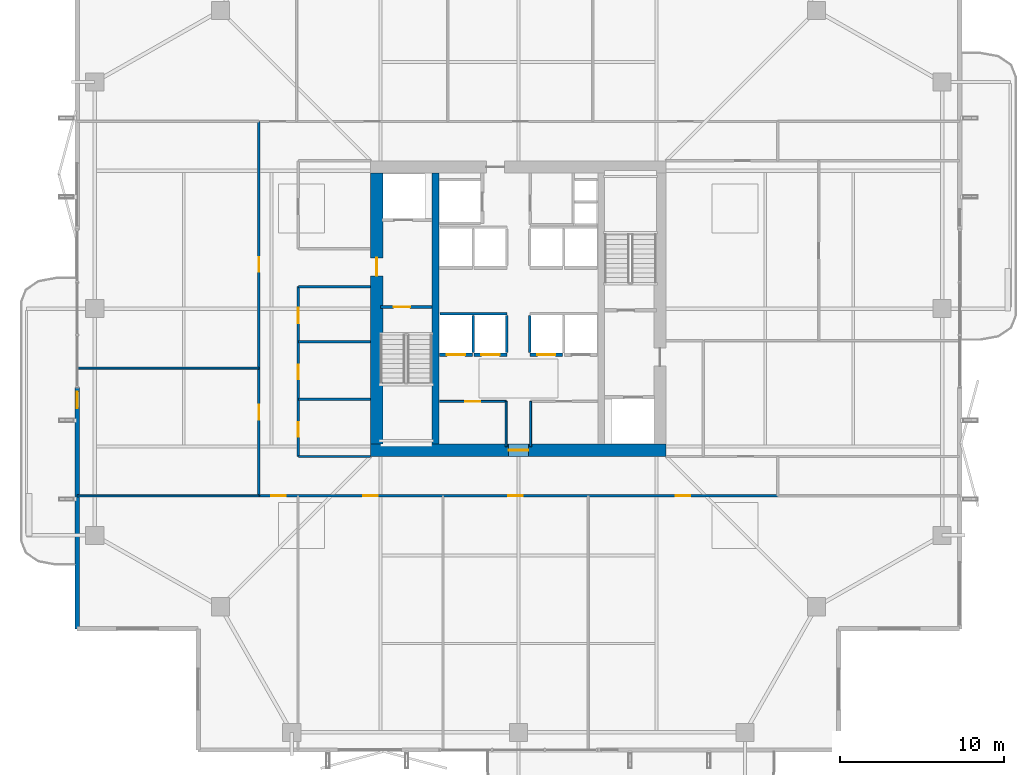
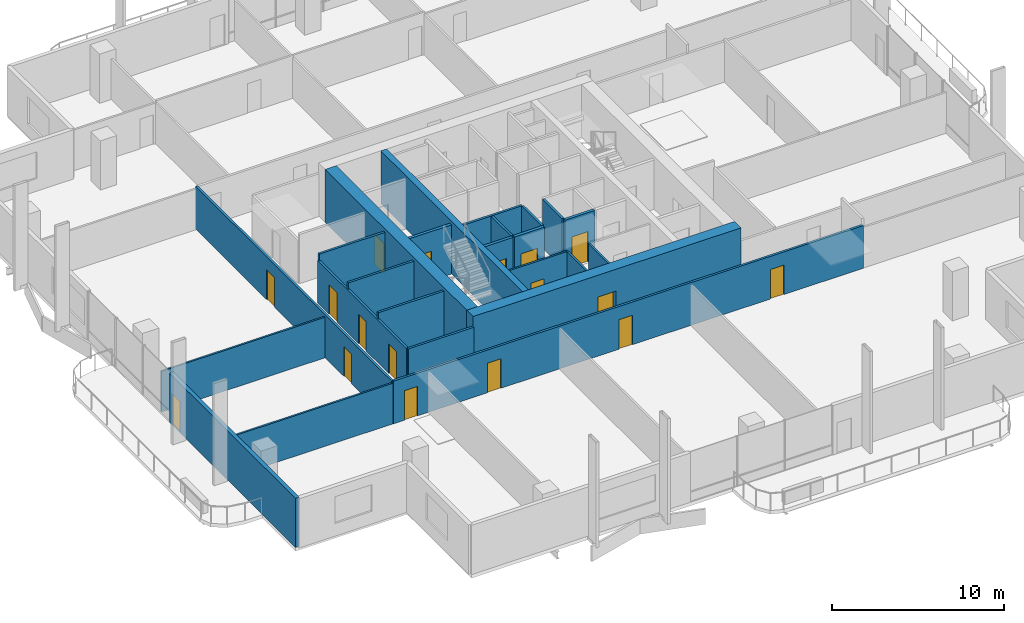
# One storey, part 17 of 24: 24 walls, 17 doors, 17 openings.
"""IFC4 building model written with IfcOpenShell, lengths in metres."""

from ifc_helpers import new_model, si_unit, direction, frame, frame_2d, origin, place, context, subcontext, project, spatial, rectangle, extrude, material, layer, layer_set, type_object, element, fill, save


model = new_model("IFC4")

# Units and contexts
model_context = context("Model", 3, precision=1e-05, world=origin(), true_north=direction((0.0, 1.0)))
body_context = subcontext(model_context, "Body", "Model", "MODEL_VIEW")
ifc_project = project(units=[si_unit("LENGTHUNIT", "METRE"), si_unit("AREAUNIT", "SQUARE_METRE"), si_unit("VOLUMEUNIT", "CUBIC_METRE"), si_unit("PLANEANGLEUNIT", "RADIAN"), si_unit("MASSUNIT", "GRAM", prefix="KILO")], contexts=[model_context])

# Site, building, storey
site_placement = place(None, origin())
site = spatial("IfcSite", under=ifc_project, at=site_placement, CompositionType="ELEMENT")
building_placement = place(site_placement, origin())
building = spatial("IfcBuilding", under=site, at=building_placement, Name="Belovzor Exchange Tower", CompositionType="ELEMENT")
storey_placement = place(building_placement, frame((0.0, 0.0, 203.699951171875)))
storey = spatial("IfcBuildingStorey", under=building, at=storey_placement, Name="L50", CompositionType="ELEMENT", Elevation=203.699951171875)

# Walls
ifc_material_1 = material(Name="Acoustic Plasterboard on Galvanised Studs", Category="gypsum")
ifc_layer_1 = layer(ifc_material_1, 0.1201171875)
ifc_layer_set_1 = layer_set([ifc_layer_1], Name="Acoustic Plasterboard on Galvanised Studs")
wall_type_1 = type_object("IfcWallType", Name="Acoustic Double-Stud Partition Wall 120", PredefinedType="PARTITIONING", material=ifc_layer_set_1)
for number, where, z_axis, x_axis, name in (
    (1, (1.929931640625, 25.181884765625, 0.0), (0.0, 0.0, 1.0), (1.0, 0.0, 0.0), "W-P120 Partition Wall W-L50-WDIV-1"),
    (2, (1.929931640625, 17.39990234375, 0.0), (0.0, 0.0, 1.0), (1.0, 0.0, 0.0), "W-P120 Partition Wall W-L50-END-SW"),
):
    element("IfcWall", number, at=place(storey_placement, frame(where, z_axis=z_axis, x_axis=x_axis)), inside=storey, type_object=wall_type_1, Name=name, PredefinedType="PARTITIONING", context=body_context, shape_type="SweptSolid", body=[
        extrude(rectangle(XDim=11.070068359375, YDim=0.1201171875, at=frame_2d((5.53515625, 0.0))), origin(), (0.0, 0.0, 1.0), 2.885009765625),
    ])

# Wall, opening, door
ifc_material_2 = material(Name="Fire-Rated Plasterboard on Galvanised Studs", Category="gypsum")
ifc_layer_2 = layer(ifc_material_2, 0.1201171875)
ifc_layer_set_2 = layer_set([ifc_layer_2], Name="Fire-Rated Plasterboard on Galvanised Studs")
wall_type_2 = type_object("IfcWallType", Name="Fire-Rated Double-Stud Partition Wall 120", PredefinedType="PARTITIONING", material=ifc_layer_set_2)
wall_1_placement = place(storey_placement, frame((24.0, 23.14990234375, 0.0), z_axis=(0.0, 0.0, 1.0), x_axis=(1.0, 0.0, 0.0)))
wall_1 = element("IfcWall", 3, at=wall_1_placement, inside=storey, type_object=wall_type_2, Name="W-P120F Partition Wall W-CRL-L50-WN", PredefinedType="PARTITIONING", context=body_context, shape_type="SweptSolid", body=[
    extrude(rectangle(XDim=4.050048828125, YDim=0.1201171875, at=frame_2d((2.02490234375, 0.0))), origin(), (0.0, 0.0, 1.0), 3.5),
])
opening_1_placement = place(wall_1_placement, frame((1.574951171875, 0.0, 0.0)))
opening_1 = element("IfcOpeningElement", 4, at=opening_1_placement, cuts=wall_1, Name="Opening D-FD60-090", PredefinedType="OPENING", context=body_context, shape_type="SweptSolid", body=[
    extrude(rectangle(XDim=0.89990234375, YDim=2.10009765625, at=frame_2d((0.449951171875, 1.050048828125))), frame((0.0, 0.070068359375, 0.0), z_axis=(0.0, -1.0, 0.0), x_axis=(1.0, 0.0, 0.0)), (0.0, 0.0, 1.0), 0.14013671875),
])
ifc_material_3 = material(Name="Acoustic Timber Fire Leaf", Category="wood")
door_type_1 = type_object("IfcDoorType", Name="Core Service & Restroom Fire Door 900x2100", OperationType="NOTDEFINED", PredefinedType="DOOR", material=ifc_material_3)
door_1_placement = place(opening_1_placement, origin())
door_1 = element("IfcDoor", 5, at=door_1_placement, inside=storey, type_object=door_type_1, Name="D-FD60-090 Core Service & Restroom Fire Door 900x2100", OperationType="SINGLE_SWING_LEFT", OverallHeight=2.10009765625, OverallWidth=0.89990234375, PredefinedType="DOOR", context=body_context, shape_type="SweptSolid", body=[
    extrude(rectangle(XDim=0.89990234375, YDim=2.10009765625, at=frame_2d((0.449951171875, 1.050048828125))), frame((0.0, 0.02490234375, 0.0), z_axis=(0.0, -1.0, 0.0), x_axis=(1.0, 0.0, 0.0)), (0.0, 0.0, 1.0), 0.050048828125),
])
fill(opening_1, door_1)

# Walls
for number, where, z_axis, x_axis, name in (
    (6, (28.050048828125, 20.39990234375, 0.0), (0.0, 0.0, 1.0), (0.0, 1.0, 0.0), "W-P120F Partition Wall W-CRL-L50-WE"),
    (7, (29.550048828125, 20.39990234375, 0.0), (0.0, 0.0, 1.0), (0.0, 1.0, 0.0), "W-P120F Partition Wall W-CRL-L50-EW"),
):
    element("IfcWall", number, at=place(storey_placement, frame(where, z_axis=z_axis, x_axis=x_axis)), inside=storey, type_object=wall_type_2, Name=name, PredefinedType="PARTITIONING", context=body_context, shape_type="SweptSolid", body=[
        extrude(rectangle(XDim=2.75, YDim=0.1201171875, at=frame_2d((1.375, 0.0))), origin(), (0.0, 0.0, 1.0), 3.5),
    ])
ifc_material_4 = material(Name="Fire-Rated Gypsum Block and Mineral Wool", Category="gypsum")
ifc_layer_3 = layer(ifc_material_4, 0.14990234375)
ifc_layer_set_3 = layer_set([ifc_layer_3], Name="Fire-Rated Gypsum Block and Mineral Wool")
wall_type_3 = type_object("IfcWallType", Name="Fire-Rated Gypsum Block Corridor Wall 150", PredefinedType="PARTITIONING", material=ifc_layer_set_3)
wall_2_placement = place(storey_placement, frame((15.39990234375, 19.800048828125, 0.0), z_axis=(0.0, 0.0, 1.0), x_axis=(1.0, 0.0, 0.0)))
element("IfcWall", 8, at=wall_2_placement, inside=storey, type_object=wall_type_3, Name="W-P150 Partition Wall W-L50-WIC-S", PredefinedType="PARTITIONING", context=body_context, shape_type="SweptSolid", body=[
    extrude(rectangle(XDim=4.400146484375, YDim=0.14990234375, at=frame_2d((2.2001953125, 0.0))), origin(), (0.0, 0.0, 1.0), 3.03515625),
])
for number, where, z_axis, x_axis, name in (
    (9, (15.39990234375, 23.27490234375, 0.0), (0.0, 0.0, 1.0), (1.0, 0.0, 0.0), "W-P150 Partition Wall W-L50-WIC-D1"),
    (10, (15.39990234375, 26.77490234375, 0.0), (0.0, 0.0, 1.0), (1.0, 0.0, 0.0), "W-P150 Partition Wall W-L50-WIC-D2"),
    (11, (15.39990234375, 30.14990234375, 0.0), (0.0, 0.0, 1.0), (1.0, 0.0, 0.0), "W-P150 Partition Wall W-L50-WIC-N"),
):
    element("IfcWall", number, at=place(storey_placement, frame(where, z_axis=z_axis, x_axis=x_axis)), inside=storey, type_object=wall_type_3, Name=name, PredefinedType="PARTITIONING", context=body_context, shape_type="SweptSolid", body=[
        extrude(rectangle(XDim=4.400146484375, YDim=0.14990234375, at=frame_2d((2.2001953125, 0.0))), origin(), (0.0, 0.0, 1.0), 3.5),
    ])

# Wall, openings, doors
wall_3_placement = place(storey_placement, frame((15.39990234375, 19.800048828125, 0.0), z_axis=(0.0, 0.0, 1.0), x_axis=(0.0, 1.0, 0.0)))
wall_3 = element("IfcWall", 12, at=wall_3_placement, inside=storey, type_object=wall_type_3, Name="W-P150 Partition Wall W-L50-WIE-S", PredefinedType="PARTITIONING", context=body_context, shape_type="SweptSolid", body=[
    extrude(rectangle(XDim=10.349853515625, YDim=0.14990234375, at=frame_2d((5.1748046875, 0.0))), origin(), (0.0, 0.0, 1.0), 3.03515625),
])
opening_2_placement = place(wall_3_placement, frame((1.199951171875, 0.0, 0.0)))
opening_2 = element("IfcOpeningElement", 13, at=opening_2_placement, cuts=wall_3, Name="Opening D-FD60-090", PredefinedType="OPENING", context=body_context, shape_type="SweptSolid", body=[
    extrude(rectangle(XDim=0.89990234375, YDim=2.10009765625, at=frame_2d((0.449951171875, 1.050048828125))), frame((0.0, 0.0849609375, 0.0), z_axis=(0.0, -1.0, 0.0), x_axis=(1.0, 0.0, 0.0)), (0.0, 0.0, 1.0), 0.169921875),
])
opening_3_placement = place(wall_3_placement, frame((4.699951171875, 0.0, 0.0)))
opening_3 = element("IfcOpeningElement", 14, at=opening_3_placement, cuts=wall_3, Name="Opening D-FD60-090", PredefinedType="OPENING", context=body_context, shape_type="SweptSolid", body=[
    extrude(rectangle(XDim=0.89990234375, YDim=2.10009765625, at=frame_2d((0.449951171875, 1.050048828125))), frame((0.0, 0.0849609375, 0.0), z_axis=(0.0, -1.0, 0.0), x_axis=(1.0, 0.0, 0.0)), (0.0, 0.0, 1.0), 0.169921875),
])
opening_4_placement = place(wall_3_placement, frame((8.10009765625, 0.0, 0.0)))
opening_4 = element("IfcOpeningElement", 15, at=opening_4_placement, cuts=wall_3, Name="Opening D-FD60-095", PredefinedType="OPENING", context=body_context, shape_type="SweptSolid", body=[
    extrude(rectangle(XDim=0.949951171875, YDim=2.10009765625, at=frame_2d((0.47509765625, 1.050048828125))), frame((0.0, 0.0849609375, 0.0), z_axis=(0.0, -1.0, 0.0), x_axis=(1.0, 0.0, 0.0)), (0.0, 0.0, 1.0), 0.169921875),
])
ifc_material_5 = material(Name="Moisture-Resistant Timber Fire Leaf", Category="wood")
door_type_2 = type_object("IfcDoorType", Name="Accessible Restroom Wide Fire Door 950x2100", OperationType="NOTDEFINED", PredefinedType="DOOR", material=ifc_material_5)
door_2_placement = place(opening_4_placement, origin())
door_2 = element("IfcDoor", 16, at=door_2_placement, inside=storey, type_object=door_type_2, Name="D-FD60-095 Accessible Restroom Wide Fire Door 950x2100", OperationType="SINGLE_SWING_LEFT", OverallHeight=2.10009765625, OverallWidth=0.949951171875, PredefinedType="DOOR", context=body_context, shape_type="SweptSolid", body=[
    extrude(rectangle(XDim=0.949951171875, YDim=2.10009765625, at=frame_2d((0.47509765625, 1.050048828125))), frame((0.0, 0.02490234375, 0.0), z_axis=(0.0, -1.0, 0.0), x_axis=(1.0, 0.0, 0.0)), (0.0, 0.0, 1.0), 0.050048828125),
])
fill(opening_4, door_2)
door_3_placement = place(opening_2_placement, origin())
door_3 = element("IfcDoor", 17, at=door_3_placement, inside=storey, type_object=door_type_1, Name="D-FD60-090 Core Service & Restroom Fire Door 900x2100", OperationType="SINGLE_SWING_LEFT", OverallHeight=2.10009765625, OverallWidth=0.89990234375, PredefinedType="DOOR", context=body_context, shape_type="SweptSolid", body=[
    extrude(rectangle(XDim=0.89990234375, YDim=2.10009765625, at=frame_2d((0.449951171875, 1.050048828125))), frame((0.0, 0.02490234375, 0.0), z_axis=(0.0, -1.0, 0.0), x_axis=(1.0, 0.0, 0.0)), (0.0, 0.0, 1.0), 0.050048828125),
])
fill(opening_2, door_3)
door_4_placement = place(opening_3_placement, origin())
door_4 = element("IfcDoor", 18, at=door_4_placement, inside=storey, type_object=door_type_1, Name="D-FD60-090 Core Service & Restroom Fire Door 900x2100", OperationType="SINGLE_SWING_RIGHT", OverallHeight=2.10009765625, OverallWidth=0.89990234375, PredefinedType="DOOR", context=body_context, shape_type="SweptSolid", body=[
    extrude(rectangle(XDim=0.89990234375, YDim=2.10009765625, at=frame_2d((0.449951171875, 1.050048828125))), frame((0.0, 0.02490234375, 0.0), z_axis=(0.0, -1.0, 0.0), x_axis=(1.0, 0.0, 0.0)), (0.0, 0.0, 1.0), 0.050048828125),
])
fill(opening_3, door_4)

wall_4_placement = place(storey_placement, frame((13.0, 17.39990234375, 0.0), z_axis=(0.0, 0.0, 1.0), x_axis=(1.0, 0.0, 0.0)))
wall_4 = element("IfcWall", 19, at=wall_4_placement, inside=storey, type_object=wall_type_3, Name="W-P150 Partition Wall W-L50-CS", PredefinedType="PARTITIONING", context=body_context, shape_type="SweptSolid", body=[
    extrude(rectangle(XDim=31.60009765625, YDim=0.14990234375, at=frame_2d((15.800048828125, 0.0))), origin(), (0.0, 0.0, 1.0), 3.03515625),
])
opening_5_placement = place(wall_4_placement, frame((0.739013671875, 0.0, 0.0)))
opening_5 = element("IfcOpeningElement", 20, at=opening_5_placement, cuts=wall_4, Name="Opening D-INT-090", PredefinedType="OPENING", context=body_context, shape_type="SweptSolid", body=[
    extrude(rectangle(XDim=0.89990234375, YDim=2.10009765625, at=frame_2d((0.449951171875, 1.050048828125))), frame((0.0, 0.0849609375, 0.0), z_axis=(0.0, -1.0, 0.0), x_axis=(1.0, 0.0, 0.0)), (0.0, 0.0, 1.0), 0.169921875),
])
opening_6_placement = place(wall_4_placement, frame((6.343994140625, 0.0, 0.0)))
opening_6 = element("IfcOpeningElement", 21, at=opening_6_placement, cuts=wall_4, Name="Opening D-INT-090", PredefinedType="OPENING", context=body_context, shape_type="SweptSolid", body=[
    extrude(rectangle(XDim=0.89990234375, YDim=2.10009765625, at=frame_2d((0.449951171875, 1.050048828125))), frame((0.0, 0.0849609375, 0.0), z_axis=(0.0, -1.0, 0.0), x_axis=(1.0, 0.0, 0.0)), (0.0, 0.0, 1.0), 0.169921875),
])
opening_7_placement = place(wall_4_placement, frame((15.174072265625, 0.0, 0.0)))
opening_7 = element("IfcOpeningElement", 22, at=opening_7_placement, cuts=wall_4, Name="Opening D-INT-090", PredefinedType="OPENING", context=body_context, shape_type="SweptSolid", body=[
    extrude(rectangle(XDim=0.89990234375, YDim=2.10009765625, at=frame_2d((0.449951171875, 1.050048828125))), frame((0.0, 0.0849609375, 0.0), z_axis=(0.0, -1.0, 0.0), x_axis=(1.0, 0.0, 0.0)), (0.0, 0.0, 1.0), 0.169921875),
])
opening_8_placement = place(wall_4_placement, frame((25.3701171875, 0.0, 0.0)))
opening_8 = element("IfcOpeningElement", 23, at=opening_8_placement, cuts=wall_4, Name="Opening D-INT-090", PredefinedType="OPENING", context=body_context, shape_type="SweptSolid", body=[
    extrude(rectangle(XDim=0.89990234375, YDim=2.10009765625, at=frame_2d((0.449951171875, 1.050048828125))), frame((0.0, 0.0849609375, 0.0), z_axis=(0.0, -1.0, 0.0), x_axis=(1.0, 0.0, 0.0)), (0.0, 0.0, 1.0), 0.169921875),
])
ifc_material_6 = material(Name="Veneered Hardwood Acoustic Leaf", Category="wood")
door_type_3 = type_object("IfcDoorType", Name="Trading Suite Acoustic Single Door 900x2100", OperationType="NOTDEFINED", PredefinedType="DOOR", material=ifc_material_6)
door_5_placement = place(opening_5_placement, origin())
door_5 = element("IfcDoor", 24, at=door_5_placement, inside=storey, type_object=door_type_3, Name="D-INT-090 Trading Suite Acoustic Single Door 900x2100", OperationType="SINGLE_SWING_LEFT", OverallHeight=2.10009765625, OverallWidth=0.89990234375, PredefinedType="DOOR", context=body_context, shape_type="SweptSolid", body=[
    extrude(rectangle(XDim=0.89990234375, YDim=2.10009765625, at=frame_2d((0.449951171875, 1.050048828125))), frame((0.0, 0.02490234375, 0.0), z_axis=(0.0, -1.0, 0.0), x_axis=(1.0, 0.0, 0.0)), (0.0, 0.0, 1.0), 0.050048828125),
])
fill(opening_5, door_5)
door_6_placement = place(opening_6_placement, origin())
door_6 = element("IfcDoor", 25, at=door_6_placement, inside=storey, type_object=door_type_3, Name="D-INT-090 Trading Suite Acoustic Single Door 900x2100", OperationType="SINGLE_SWING_RIGHT", OverallHeight=2.10009765625, OverallWidth=0.89990234375, PredefinedType="DOOR", context=body_context, shape_type="SweptSolid", body=[
    extrude(rectangle(XDim=0.89990234375, YDim=2.10009765625, at=frame_2d((0.449951171875, 1.050048828125))), frame((0.0, 0.02490234375, 0.0), z_axis=(0.0, -1.0, 0.0), x_axis=(1.0, 0.0, 0.0)), (0.0, 0.0, 1.0), 0.050048828125),
])
fill(opening_6, door_6)
door_7_placement = place(opening_7_placement, origin())
door_7 = element("IfcDoor", 26, at=door_7_placement, inside=storey, type_object=door_type_3, Name="D-INT-090 Trading Suite Acoustic Single Door 900x2100", OperationType="SINGLE_SWING_LEFT", OverallHeight=2.10009765625, OverallWidth=0.89990234375, PredefinedType="DOOR", context=body_context, shape_type="SweptSolid", body=[
    extrude(rectangle(XDim=0.89990234375, YDim=2.10009765625, at=frame_2d((0.449951171875, 1.050048828125))), frame((0.0, 0.02490234375, 0.0), z_axis=(0.0, -1.0, 0.0), x_axis=(1.0, 0.0, 0.0)), (0.0, 0.0, 1.0), 0.050048828125),
])
fill(opening_7, door_7)
door_8_placement = place(opening_8_placement, origin())
door_8 = element("IfcDoor", 27, at=door_8_placement, inside=storey, type_object=door_type_3, Name="D-INT-090 Trading Suite Acoustic Single Door 900x2100", OperationType="SINGLE_SWING_RIGHT", OverallHeight=2.10009765625, OverallWidth=0.89990234375, PredefinedType="DOOR", context=body_context, shape_type="SweptSolid", body=[
    extrude(rectangle(XDim=0.89990234375, YDim=2.10009765625, at=frame_2d((0.449951171875, 1.050048828125))), frame((0.0, 0.02490234375, 0.0), z_axis=(0.0, -1.0, 0.0), x_axis=(1.0, 0.0, 0.0)), (0.0, 0.0, 1.0), 0.050048828125),
])
fill(opening_8, door_8)

wall_5_placement = place(storey_placement, frame((13.0, 17.39990234375, 0.0), z_axis=(0.0, 0.0, 1.0), x_axis=(0.0, 1.0, 0.0)))
wall_5 = element("IfcWall", 28, at=wall_5_placement, inside=storey, type_object=wall_type_3, Name="W-P150 Partition Wall W-L50-CWO", PredefinedType="PARTITIONING", context=body_context, shape_type="SweptSolid", body=[
    extrude(rectangle(XDim=22.800048828125, YDim=0.14990234375, at=frame_2d((11.39990234375, 0.0))), origin(), (0.0, 0.0, 1.0), 3.03515625),
])
opening_9_placement = place(wall_5_placement, frame((4.64111328125, 0.0, 0.0)))
opening_9 = element("IfcOpeningElement", 29, at=opening_9_placement, cuts=wall_5, Name="Opening D-INT-090", PredefinedType="OPENING", context=body_context, shape_type="SweptSolid", body=[
    extrude(rectangle(XDim=0.89990234375, YDim=2.10009765625, at=frame_2d((0.449951171875, 1.050048828125))), frame((0.0, 0.0849609375, 0.0), z_axis=(0.0, -1.0, 0.0), x_axis=(1.0, 0.0, 0.0)), (0.0, 0.0, 1.0), 0.169921875),
])
opening_10_placement = place(wall_5_placement, frame((13.64111328125, 0.0, 0.0)))
opening_10 = element("IfcOpeningElement", 30, at=opening_10_placement, cuts=wall_5, Name="Opening D-INT-090", PredefinedType="OPENING", context=body_context, shape_type="SweptSolid", body=[
    extrude(rectangle(XDim=0.89990234375, YDim=2.10009765625, at=frame_2d((0.449951171875, 1.050048828125))), frame((0.0, 0.0849609375, 0.0), z_axis=(0.0, -1.0, 0.0), x_axis=(1.0, 0.0, 0.0)), (0.0, 0.0, 1.0), 0.169921875),
])
door_9_placement = place(opening_9_placement, origin())
door_9 = element("IfcDoor", 31, at=door_9_placement, inside=storey, type_object=door_type_3, Name="D-INT-090 Trading Suite Acoustic Single Door 900x2100", OperationType="SINGLE_SWING_LEFT", OverallHeight=2.10009765625, OverallWidth=0.89990234375, PredefinedType="DOOR", context=body_context, shape_type="SweptSolid", body=[
    extrude(rectangle(XDim=0.89990234375, YDim=2.10009765625, at=frame_2d((0.449951171875, 1.050048828125))), frame((0.0, 0.02490234375, 0.0), z_axis=(0.0, -1.0, 0.0), x_axis=(1.0, 0.0, 0.0)), (0.0, 0.0, 1.0), 0.050048828125),
])
fill(opening_9, door_9)
door_10_placement = place(opening_10_placement, origin())
door_10 = element("IfcDoor", 32, at=door_10_placement, inside=storey, type_object=door_type_3, Name="D-INT-090 Trading Suite Acoustic Single Door 900x2100", OperationType="SINGLE_SWING_LEFT", OverallHeight=2.10009765625, OverallWidth=0.89990234375, PredefinedType="DOOR", context=body_context, shape_type="SweptSolid", body=[
    extrude(rectangle(XDim=0.89990234375, YDim=2.10009765625, at=frame_2d((0.449951171875, 1.050048828125))), frame((0.0, 0.02490234375, 0.0), z_axis=(0.0, -1.0, 0.0), x_axis=(1.0, 0.0, 0.0)), (0.0, 0.0, 1.0), 0.050048828125),
])
fill(opening_10, door_10)

# Wall, opening, door
ifc_material_7 = material(Name="Precast concrete C40/50", Category="concrete")
ifc_layer_4 = layer(ifc_material_7, 0.260009765625)
ifc_layer_set_4 = layer_set([ifc_layer_4], Name="Precast concrete C40/50")
wall_type_4 = type_object("IfcWallType", Name="Precast Concrete Perimeter Loggia Frame Wall 260", PredefinedType="SOLIDWALL", material=ifc_layer_set_4)
wall_6_placement = place(storey_placement, frame((1.929931640625, 9.300048828125, 0.0), z_axis=(0.0, 0.0, 1.0), x_axis=(0.0, 1.0, 0.0)))
wall_6 = element("IfcWall", 33, at=wall_6_placement, inside=storey, type_object=wall_type_4, Name="W-EXT260 Precast Concrete Perimeter Loggia Frame Wall 260 L50", PredefinedType="SOLIDWALL", context=body_context, shape_type="SweptSolid", body=[
    extrude(rectangle(XDim=14.699951171875, YDim=0.260009765625, at=frame_2d((7.35009765625, 0.0))), origin(), (0.0, 0.0, 1.0), 3.5),
])
opening_11_placement = place(wall_6_placement, frame((13.449951171875, 0.0, 0.0)))
opening_11 = element("IfcOpeningElement", 34, at=opening_11_placement, cuts=wall_6, Name="Opening D-BAL100", PredefinedType="OPENING", context=body_context, shape_type="SweptSolid", body=[
    extrude(rectangle(XDim=1.0, YDim=2.199951171875, at=frame_2d((0.5, 1.10009765625))), frame((0.0, 0.139892578125, 0.0), z_axis=(0.0, -1.0, 0.0), x_axis=(1.0, 0.0, 0.0)), (0.0, 0.0, 1.0), 0.280029296875),
])
ifc_material_8 = material(Name="Thermally Broken Anodised Aluminium and Laminated Glass", Category="aluminium")
door_type_4 = type_object("IfcDoorType", Name="Planted Loggia Terrace Glazed Door 1000x2200", OperationType="SINGLE_SWING_LEFT", PredefinedType="DOOR", material=ifc_material_8)
door_11_placement = place(opening_11_placement, origin())
door_11 = element("IfcDoor", 35, at=door_11_placement, inside=storey, type_object=door_type_4, Name="D-BAL100 Balcony Terrace Door L50 W", OperationType="SINGLE_SWING_RIGHT", OverallHeight=2.199951171875, OverallWidth=1.0, PredefinedType="DOOR", context=body_context, shape_type="SweptSolid", body=[
    extrude(rectangle(XDim=1.0, YDim=2.199951171875, at=frame_2d((0.5, 1.10009765625))), frame((0.0, 0.02490234375, 0.0), z_axis=(0.0, -1.0, 0.0), x_axis=(1.0, 0.0, 0.0)), (0.0, 0.0, 1.0), 0.050048828125),
])
fill(opening_11, door_11)

# Walls
ifc_material_9 = material(Name="Concrete C50/60", Category="concrete")
ifc_layer_5 = layer(ifc_material_9, 0.39990234375)
ifc_layer_set_5 = layer_set([ifc_layer_5], Name="Concrete C50/60")
wall_type_5 = type_object("IfcWallType", Name="Reinforced Concrete Core Internal Web Wall 400", PredefinedType="SHEAR", material=ifc_layer_set_5)
wall_7_placement = place(storey_placement, frame((23.75, 20.550048828125, 0.0), z_axis=(0.0, 0.0, 1.0), x_axis=(0.0, 1.0, 0.0)))
element("IfcWall", 36, at=wall_7_placement, inside=storey, type_object=wall_type_5, Name="CW-W040 Core Internal Web Wall L50 WL", PredefinedType="SHEAR", context=body_context, shape_type="SweptSolid", body=[
    extrude(rectangle(XDim=16.5, YDim=0.39990234375, at=frame_2d((8.25, 0.0))), origin(), (0.0, 0.0, 1.0), 3.75),
])
ifc_material_10 = material(Name="Concrete C50/60", Category="concrete")
ifc_layer_6 = layer(ifc_material_10, 0.14990234375)
ifc_layer_set_6 = layer_set([ifc_layer_6], Name="Concrete C50/60")
wall_type_6 = type_object("IfcWallType", Name="Reinforced Concrete Core Riser Shear Wall 150", PredefinedType="SHEAR", material=ifc_layer_set_6)
wall_8_placement = place(storey_placement, frame((24.02001953125, 28.5, 0.0), z_axis=(0.0, 0.0, 1.0), x_axis=(1.0, 0.0, 0.0)))
element("IfcWall", 37, at=wall_8_placement, inside=storey, type_object=wall_type_6, Name="W-C150S Core Shaft Wall W-SHB-L50-PLM-NW", PredefinedType="SHEAR", context=body_context, shape_type="SweptSolid", body=[
    extrude(rectangle(XDim=4.080078125, YDim=0.14990234375, at=frame_2d((2.0400390625, 0.0))), origin(), (0.0, 0.0, 1.0), 3.5),
])
for number, where, z_axis, x_axis, name in (
    (38, (26.050048828125, 26.1201171875, 0.0), (0.0, 0.0, 1.0), (0.0, 1.0, 0.0), "W-C150S Core Shaft Wall W-SHD-L50-PLM-1"),
    (39, (28.10009765625, 26.1201171875, 0.0), (0.0, 0.0, 1.0), (0.0, 1.0, 0.0), "W-C150S Core Shaft Wall W-SHD-L50-PLM-2"),
    (40, (29.5, 26.1201171875, 0.0), (0.0, 0.0, 1.0), (0.0, 1.0, 0.0), "W-C150S Core Shaft Wall W-SHD-L50-PLM-3"),
):
    element("IfcWall", number, at=place(storey_placement, frame(where, z_axis=z_axis, x_axis=x_axis)), inside=storey, type_object=wall_type_6, Name=name, PredefinedType="SHEAR", context=body_context, shape_type="SweptSolid", body=[
        extrude(rectangle(XDim=2.27978515625, YDim=0.14990234375, at=frame_2d((1.139892578125, 0.0))), origin(), (0.0, 0.0, 1.0), 3.5),
    ])

# Wall, opening, door
ifc_material_11 = material(Name="Concrete C50/60", Category="concrete")
ifc_layer_7 = layer(ifc_material_11, 0.199951171875)
ifc_layer_set_7 = layer_set([ifc_layer_7], Name="Concrete C50/60")
wall_type_7 = type_object("IfcWallType", Name="Reinforced Concrete Core Shaft Shear Wall 200", PredefinedType="SHEAR", material=ifc_layer_set_7)
wall_9_placement = place(storey_placement, frame((20.39990234375, 28.89990234375, 0.0), z_axis=(0.0, 0.0, 1.0), x_axis=(1.0, 0.0, 0.0)))
wall_9 = element("IfcWall", 41, at=wall_9_placement, inside=storey, type_object=wall_type_7, Name="W-C200S Core Shaft Wall W-CORE-L50-FFLW1", PredefinedType="SHEAR", context=body_context, shape_type="SweptSolid", body=[
    extrude(rectangle(XDim=3.150146484375, YDim=0.199951171875, at=frame_2d((1.5751953125, 0.0))), origin(), (0.0, 0.0, 1.0), 3.5),
])
opening_12_placement = place(wall_9_placement, frame((0.800048828125, 0.0, 0.0)))
opening_12 = element("IfcOpeningElement", 42, at=opening_12_placement, cuts=wall_9, Name="Opening D-FD90-100", PredefinedType="OPENING", context=body_context, shape_type="SweptSolid", body=[
    extrude(rectangle(XDim=1.0, YDim=2.10009765625, at=frame_2d((0.5, 1.050048828125))), frame((0.0, 0.10986328125, 0.0), z_axis=(0.0, -1.0, 0.0), x_axis=(1.0, 0.0, 0.0)), (0.0, 0.0, 1.0), 0.219970703125),
])
ifc_material_12 = material(Name="Fire-Rated Galvanised Steel Leaf", Category="steel")
door_type_5 = type_object("IfcDoorType", Name="Protected Stairwell Single Fire Door 1000x2100", OperationType="NOTDEFINED", PredefinedType="DOOR", material=ifc_material_12)
door_12_placement = place(opening_12_placement, origin())
door_12 = element("IfcDoor", 43, at=door_12_placement, inside=storey, type_object=door_type_5, Name="D-FD90-100 Protected Stairwell Single Fire Door 1000x2100", OperationType="SINGLE_SWING_RIGHT", OverallHeight=2.10009765625, OverallWidth=1.0, PredefinedType="DOOR", context=body_context, shape_type="SweptSolid", body=[
    extrude(rectangle(XDim=1.0, YDim=2.10009765625, at=frame_2d((0.5, 1.050048828125))), frame((0.0, 0.02490234375, 0.0), z_axis=(0.0, -1.0, 0.0), x_axis=(1.0, 0.0, 0.0)), (0.0, 0.0, 1.0), 0.050048828125),
])
fill(opening_12, door_12)

wall_10_placement = place(storey_placement, frame((24.0, 26.0, 0.0), z_axis=(0.0, 0.0, 1.0), x_axis=(1.0, 0.0, 0.0)))
wall_10 = element("IfcWall", 44, at=wall_10_placement, inside=storey, type_object=wall_type_7, Name="W-C200S Core Shaft Wall W-SH-L50-PL-M1", PredefinedType="SHEAR", context=body_context, shape_type="SweptSolid", body=[
    extrude(rectangle(XDim=2.0, YDim=0.199951171875, at=frame_2d((1.0, 0.0))), origin(), (0.0, 0.0, 1.0), 3.5),
])
opening_13_placement = place(wall_10_placement, frame((0.449951171875, 0.0, 0.0)))
opening_13 = element("IfcOpeningElement", 45, at=opening_13_placement, cuts=wall_10, Name="Opening LD-110", PredefinedType="OPENING", context=body_context, shape_type="SweptSolid", body=[
    extrude(rectangle(XDim=1.10009765625, YDim=2.14990234375, at=frame_2d((0.550048828125, 1.074951171875))), frame((0.0, 0.10986328125, 0.0), z_axis=(0.0, -1.0, 0.0), x_axis=(1.0, 0.0, 0.0)), (0.0, 0.0, 1.0), 0.219970703125),
])
ifc_material_13 = material(Name="Stainless Steel Grade 304", Category="steel")
door_type_6 = type_object("IfcDoorType", Name="Automated Stainless Steel Lift Landing Door 1100x2150", OperationType="SLIDING_TO_RIGHT", PredefinedType="DOOR", material=ifc_material_13)
door_13_placement = place(opening_13_placement, origin())
door_13 = element("IfcDoor", 46, at=door_13_placement, inside=storey, type_object=door_type_6, Name="LD-110 Automated Stainless Steel Lift Landing Door 1100x2150", OperationType="SLIDING_TO_RIGHT", OverallHeight=2.14990234375, OverallWidth=1.10009765625, PredefinedType="DOOR", context=body_context, shape_type="SweptSolid", body=[
    extrude(rectangle(XDim=1.10009765625, YDim=2.14990234375, at=frame_2d((0.550048828125, 1.074951171875))), frame((0.0, 0.02490234375, 0.0), z_axis=(0.0, -1.0, 0.0), x_axis=(1.0, 0.0, 0.0)), (0.0, 0.0, 1.0), 0.050048828125),
])
fill(opening_13, door_13)

wall_11_placement = place(storey_placement, frame((26.10009765625, 26.0, 0.0), z_axis=(0.0, 0.0, 1.0), x_axis=(1.0, 0.0, 0.0)))
wall_11 = element("IfcWall", 47, at=wall_11_placement, inside=storey, type_object=wall_type_7, Name="W-C200S Core Shaft Wall W-SH-L50-PL-M2", PredefinedType="SHEAR", context=body_context, shape_type="SweptSolid", body=[
    extrude(rectangle(XDim=2.0, YDim=0.199951171875, at=frame_2d((1.0, 0.0))), origin(), (0.0, 0.0, 1.0), 3.5),
])
opening_14_placement = place(wall_11_placement, frame((0.449951171875, 0.0, 0.0)))
opening_14 = element("IfcOpeningElement", 48, at=opening_14_placement, cuts=wall_11, Name="Opening LD-110", PredefinedType="OPENING", context=body_context, shape_type="SweptSolid", body=[
    extrude(rectangle(XDim=1.10009765625, YDim=2.14990234375, at=frame_2d((0.550048828125, 1.074951171875))), frame((0.0, 0.10986328125, 0.0), z_axis=(0.0, -1.0, 0.0), x_axis=(1.0, 0.0, 0.0)), (0.0, 0.0, 1.0), 0.219970703125),
])
door_14_placement = place(opening_14_placement, origin())
door_14 = element("IfcDoor", 49, at=door_14_placement, inside=storey, type_object=door_type_6, Name="LD-110 Automated Stainless Steel Lift Landing Door 1100x2150", OperationType="SLIDING_TO_RIGHT", OverallHeight=2.14990234375, OverallWidth=1.10009765625, PredefinedType="DOOR", context=body_context, shape_type="SweptSolid", body=[
    extrude(rectangle(XDim=1.10009765625, YDim=2.14990234375, at=frame_2d((0.550048828125, 1.074951171875))), frame((0.0, 0.02490234375, 0.0), z_axis=(0.0, -1.0, 0.0), x_axis=(1.0, 0.0, 0.0)), (0.0, 0.0, 1.0), 0.050048828125),
])
fill(opening_14, door_14)

wall_12_placement = place(storey_placement, frame((29.5, 26.0, 0.0), z_axis=(0.0, 0.0, 1.0), x_axis=(1.0, 0.0, 0.0)))
wall_12 = element("IfcWall", 50, at=wall_12_placement, inside=storey, type_object=wall_type_7, Name="W-C200S Core Shaft Wall W-SH-L50-PL-M3", PredefinedType="SHEAR", context=body_context, shape_type="SweptSolid", body=[
    extrude(rectangle(XDim=2.0, YDim=0.199951171875, at=frame_2d((1.0, 0.0))), origin(), (0.0, 0.0, 1.0), 3.5),
])
opening_15_placement = place(wall_12_placement, frame((0.449951171875, 0.0, 0.0)))
opening_15 = element("IfcOpeningElement", 51, at=opening_15_placement, cuts=wall_12, Name="Opening LD-110", PredefinedType="OPENING", context=body_context, shape_type="SweptSolid", body=[
    extrude(rectangle(XDim=1.10009765625, YDim=2.14990234375, at=frame_2d((0.550048828125, 1.074951171875))), frame((0.0, 0.10986328125, 0.0), z_axis=(0.0, -1.0, 0.0), x_axis=(1.0, 0.0, 0.0)), (0.0, 0.0, 1.0), 0.219970703125),
])
door_15_placement = place(opening_15_placement, origin())
door_15 = element("IfcDoor", 52, at=door_15_placement, inside=storey, type_object=door_type_6, Name="LD-110 Automated Stainless Steel Lift Landing Door 1100x2150", OperationType="SLIDING_TO_RIGHT", OverallHeight=2.14990234375, OverallWidth=1.10009765625, PredefinedType="DOOR", context=body_context, shape_type="SweptSolid", body=[
    extrude(rectangle(XDim=1.10009765625, YDim=2.14990234375, at=frame_2d((0.550048828125, 1.074951171875))), frame((0.0, 0.02490234375, 0.0), z_axis=(0.0, -1.0, 0.0), x_axis=(1.0, 0.0, 0.0)), (0.0, 0.0, 1.0), 0.050048828125),
])
fill(opening_15, door_15)

ifc_material_14 = material(Name="Concrete C50/60", Category="concrete")
ifc_layer_8 = layer(ifc_material_14, 0.75)
ifc_layer_set_8 = layer_set([ifc_layer_8], Name="Concrete C50/60")
wall_type_8 = type_object("IfcWallType", Name="Reinforced Concrete Core Shear Wall 750", PredefinedType="SHEAR", material=ifc_layer_set_8)
wall_13_placement = place(storey_placement, frame((19.800048828125, 20.175048828125, 0.0), z_axis=(0.0, 0.0, 1.0), x_axis=(1.0, 0.0, 0.0)))
wall_13 = element("IfcWall", 53, at=wall_13_placement, inside=storey, type_object=wall_type_8, Name="CW-S075 Core Shear Wall L50 S", PredefinedType="SHEAR", context=body_context, shape_type="SweptSolid", body=[
    extrude(rectangle(XDim=18.0, YDim=0.75, at=frame_2d((9.0, 0.0))), origin(), (0.0, 0.0, 1.0), 3.75),
])
opening_16_placement = place(wall_13_placement, frame((8.39990234375, 0.0, 0.0)))
opening_16 = element("IfcOpeningElement", 54, at=opening_16_placement, cuts=wall_13, Name="Opening D-FD90-120", PredefinedType="OPENING", context=body_context, shape_type="SweptSolid", body=[
    extrude(rectangle(XDim=1.199951171875, YDim=2.199951171875, at=frame_2d((0.60009765625, 1.10009765625))), frame((0.0, 0.385009765625, 0.0), z_axis=(0.0, -1.0, 0.0), x_axis=(1.0, 0.0, 0.0)), (0.0, 0.0, 1.0), 0.77001953125),
])
ifc_material_15 = material(Name="Fire-Rated Galvanised Steel Leaf", Category="steel")
door_type_7 = type_object("IfcDoorType", Name="Heavy Plant & Foyer Fire Door 1200x2200", OperationType="NOTDEFINED", PredefinedType="DOOR", material=ifc_material_15)
door_16_placement = place(opening_16_placement, origin())
door_16 = element("IfcDoor", 55, at=door_16_placement, inside=storey, type_object=door_type_7, Name="D-FD90-120 Heavy Plant & Foyer Fire Door 1200x2200", OperationType="SINGLE_SWING_LEFT", OverallHeight=2.199951171875, OverallWidth=1.199951171875, PredefinedType="DOOR", context=body_context, shape_type="SweptSolid", body=[
    extrude(rectangle(XDim=1.199951171875, YDim=2.199951171875, at=frame_2d((0.60009765625, 1.10009765625))), frame((0.0, 0.02490234375, 0.0), z_axis=(0.0, -1.0, 0.0), x_axis=(1.0, 0.0, 0.0)), (0.0, 0.0, 1.0), 0.050048828125),
])
fill(opening_16, door_16)

wall_14_placement = place(storey_placement, frame((20.175048828125, 20.550048828125, 0.0), z_axis=(0.0, 0.0, 1.0), x_axis=(0.0, 1.0, 0.0)))
wall_14 = element("IfcWall", 56, at=wall_14_placement, inside=storey, type_object=wall_type_8, Name="CW-S075 Core Shear Wall L50 W", PredefinedType="SHEAR", context=body_context, shape_type="SweptSolid", body=[
    extrude(rectangle(XDim=16.5, YDim=0.75, at=frame_2d((8.25, 0.0))), origin(), (0.0, 0.0, 1.0), 3.75),
])
opening_17_placement = place(wall_14_placement, frame((10.25, 0.0, 0.0)))
opening_17 = element("IfcOpeningElement", 57, at=opening_17_placement, cuts=wall_14, Name="Opening D-FD90-110", PredefinedType="OPENING", context=body_context, shape_type="SweptSolid", body=[
    extrude(rectangle(XDim=1.10009765625, YDim=2.14990234375, at=frame_2d((0.550048828125, 1.074951171875))), frame((0.0, 0.385009765625, 0.0), z_axis=(0.0, -1.0, 0.0), x_axis=(1.0, 0.0, 0.0)), (0.0, 0.0, 1.0), 0.77001953125),
])
ifc_material_16 = material(Name="Fire-Rated Galvanised Steel Leaf", Category="steel")
door_type_8 = type_object("IfcDoorType", Name="Protected Escape Vestibule Fire Door 1100x2150", OperationType="NOTDEFINED", PredefinedType="DOOR", material=ifc_material_16)
door_17_placement = place(opening_17_placement, origin())
door_17 = element("IfcDoor", 58, at=door_17_placement, inside=storey, type_object=door_type_8, Name="D-FD90-110 Protected Escape Vestibule Fire Door 1100x2150", OperationType="SINGLE_SWING_LEFT", OverallHeight=2.14990234375, OverallWidth=1.10009765625, PredefinedType="DOOR", context=body_context, shape_type="SweptSolid", body=[
    extrude(rectangle(XDim=1.10009765625, YDim=2.14990234375, at=frame_2d((0.550048828125, 1.074951171875))), frame((0.0, 0.02490234375, 0.0), z_axis=(0.0, -1.0, 0.0), x_axis=(1.0, 0.0, 0.0)), (0.0, 0.0, 1.0), 0.050048828125),
])
fill(opening_17, door_17)

save(model, "model.ifc")
